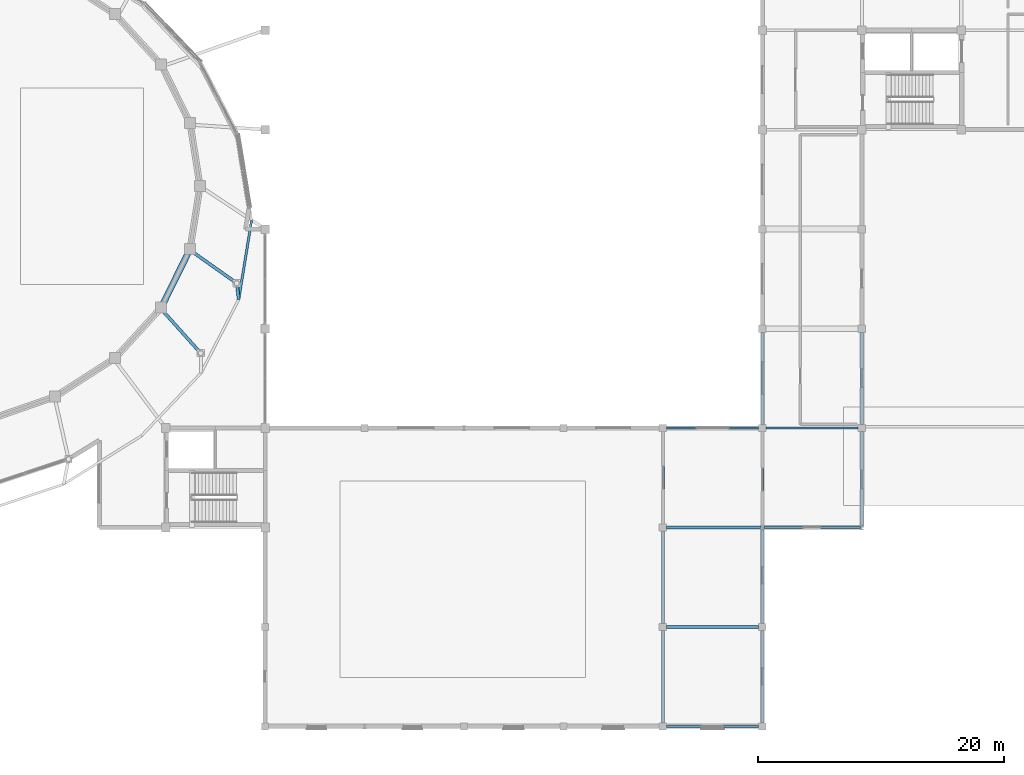
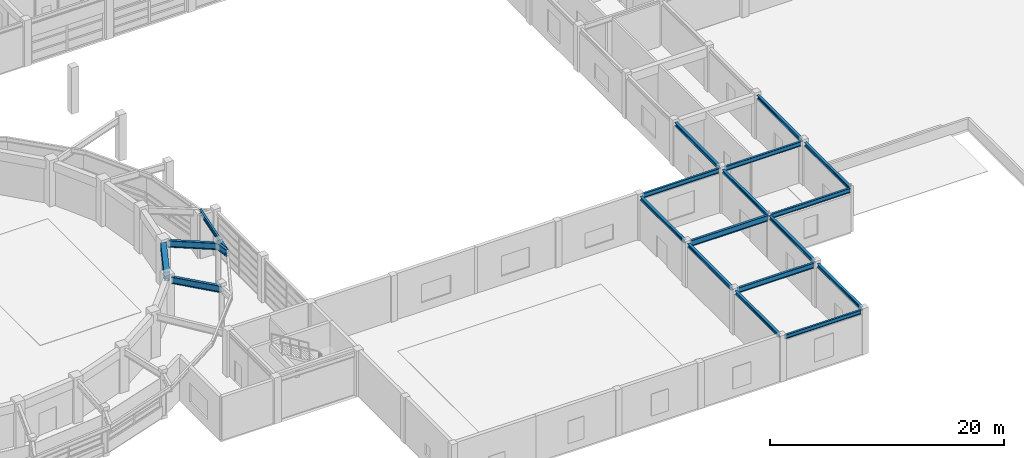
# One storey, part 18 of 56: 20 beams.
"""IFC4 building model written with IfcOpenShell, lengths in metres."""

import ifcopenshell
import ifcopenshell.guid

model = None  # the IFC model being written
_history = None  # IfcOwnerHistory: only IFC2X3 demands one
_inside = {}  # id of a spatial element -> (the spatial element, [elements in it])
_under = {}  # id of a project, library or spatial element -> (it, [spatial elements below it])
_declared = {}  # id of a project -> (the project, [libraries it declares])
_typed = {}  # id of a type object -> (the type object, [elements of that type])
_made_of = {}  # id of a material, layer set ... -> (it, [elements and type objects made of it])


def new_model(schema):
    """Start an empty IFC model of exactly this schema.

    Asked for "IFC4X3", IfcOpenShell would pick the latest addendum, in which some entities
    have other attributes; the version numbers below select the first issue.
    IFC2X3 requires an IfcOwnerHistory on every rooted entity: one is made here for all.
    """
    global model, _history
    if schema == "IFC4X3":
        model = ifcopenshell.file(schema_version=(4, 3, 0, 0))
    else:
        model = ifcopenshell.file(schema=schema)
    _inside.clear()
    _under.clear()
    _declared.clear()
    _typed.clear()
    _made_of.clear()
    _history = None
    if model.schema == "IFC2X3":
        org = make("IfcOrganization", Name="unknown")
        user = make(
            "IfcPersonAndOrganization",
            ThePerson=make("IfcPerson", FamilyName="unknown"),
            TheOrganization=org,
        )
        app = make(
            "IfcApplication",
            ApplicationDeveloper=org,
            Version="unknown",
            ApplicationFullName="unknown",
            ApplicationIdentifier="unknown",
        )
        _history = make(
            "IfcOwnerHistory",
            OwningUser=user,
            OwningApplication=app,
            ChangeAction="ADDED",
            CreationDate=0,
        )
    return model


def make(cls, **values):
    """One entity of the class cls with the attributes given. An attribute that is None is left unset."""
    return model.create_entity(
        cls, **{name: value for name, value in values.items() if value is not None}
    )


def rooted(cls, **values):
    """An entity with a GlobalId (a new one), such as an element, a storey or a relation."""
    return make(cls, GlobalId=ifcopenshell.guid.new(), OwnerHistory=_history, **values)


def si_unit(unit_type, name, prefix=None):
    """IfcSIUnit, for example si_unit("LENGTHUNIT", "METRE", prefix="MILLI")."""
    return make("IfcSIUnit", UnitType=unit_type, Prefix=prefix, Name=name)


def assignment(units):
    """IfcUnitAssignment: the units of a project."""
    return None if units is None else make("IfcUnitAssignment", Units=units)


def point(xyz):
    """IfcCartesianPoint."""
    return None if xyz is None else make("IfcCartesianPoint", Coordinates=xyz)


def direction(xyz):
    """IfcDirection."""
    return None if xyz is None else make("IfcDirection", DirectionRatios=xyz)


def frame(location, z_axis=None, x_axis=None):
    """IfcAxis2Placement3D, a coordinate frame: its origin and axes. An axis left out is left unset."""
    return make(
        "IfcAxis2Placement3D",
        Location=point(location),
        Axis=direction(z_axis),
        RefDirection=direction(x_axis),
    )


def frame_2d(location, x_axis=None):
    """IfcAxis2Placement2D, a coordinate frame in the plane: its origin and x axis."""
    return make(
        "IfcAxis2Placement2D", Location=point(location), RefDirection=direction(x_axis)
    )


def origin():
    """The frame at (0, 0, 0) with its axes left unset."""
    return frame((0.0, 0.0, 0.0))


def origin_2d():
    """The frame at (0, 0) in the plane with its x axis left unset."""
    return frame_2d((0.0, 0.0))


def place(relative_to, where):
    """IfcLocalPlacement: puts the frame where relative to a parent placement (None: the world)."""
    return make(
        "IfcLocalPlacement", PlacementRelTo=relative_to, RelativePlacement=where
    )


def context(
    kind, dimensions, precision=None, world=None, true_north=None, identifier=None
):
    """IfcGeometricRepresentationContext, for example the 3D "Model" context."""
    return make(
        "IfcGeometricRepresentationContext",
        ContextIdentifier=identifier,
        ContextType=kind,
        CoordinateSpaceDimension=dimensions,
        Precision=precision,
        WorldCoordinateSystem=world,
        TrueNorth=true_north,
    )


def subcontext(parent, identifier, kind, view, scale=None):
    """IfcGeometricRepresentationSubContext, for example "Body" below "Model"."""
    return make(
        "IfcGeometricRepresentationSubContext",
        ContextIdentifier=identifier,
        ContextType=kind,
        ParentContext=parent,
        TargetScale=scale,
        TargetView=view,
    )


def project(units=None, contexts=None):
    """IfcProject with its units and contexts."""
    return rooted(
        "IfcProject",
        Name="project",
        RepresentationContexts=contexts,
        UnitsInContext=assignment(units),
    )


def spatial(cls, under=None, at=None, **own):
    """A site, building, storey or space (cls), placed at a placement, below another one or the project."""
    s = rooted(cls, ObjectPlacement=at, **own)
    if under is not None:
        _under.setdefault(under.id(), (under, []))[1].append(s)
    return s


def profile(cls, at=None, kind="AREA", **sizes):
    """A parametric profile (cls). Its sizes go by their IFC names, for example OverallWidth=200.0."""
    return make(cls, ProfileType=kind, Position=at, **sizes)


def rectangle(**sizes):
    """IfcRectangleProfileDef."""
    return profile("IfcRectangleProfileDef", **sizes)


def i_section(**sizes):
    """IfcIShapeProfileDef."""
    return profile("IfcIShapeProfileDef", **sizes)


def extrude(swept, where, along, depth):
    """IfcExtrudedAreaSolid: the profile swept, set in the frame where, extruded along a direction by depth."""
    return make(
        "IfcExtrudedAreaSolid",
        SweptArea=swept,
        Position=where,
        ExtrudedDirection=direction(along),
        Depth=depth,
    )


def shape(context_of_items, identifier, shape_type, items):
    """IfcShapeRepresentation: the items that make up one representation, for example the "Body"."""
    return make(
        "IfcShapeRepresentation",
        ContextOfItems=context_of_items,
        RepresentationIdentifier=identifier,
        RepresentationType=shape_type,
        Items=items,
    )


def material(Name=None, Category=None):
    """IfcMaterial."""
    return make("IfcMaterial", Name=Name, Category=Category)


def material_profile(
    of_material, cross_section, Name=None, Category=None, Priority=None
):
    """IfcMaterialProfile: a cross section and its material."""
    return make(
        "IfcMaterialProfile",
        Name=Name,
        Material=of_material,
        Profile=cross_section,
        Priority=Priority,
        Category=Category,
    )


def profile_set(profiles, Name=None, composite=None):
    """IfcMaterialProfileSet."""
    return make(
        "IfcMaterialProfileSet",
        Name=Name,
        MaterialProfiles=profiles,
        CompositeProfile=composite,
    )


def made_of(thing, what):
    """Note that an element or type object is made of a material, layer set ...; save() writes the relation."""
    if what is not None:
        _made_of.setdefault(what.id(), (what, []))[1].append(thing)
    return thing


def type_object(cls, material=None, **own):
    """A type object (cls), such as IfcWallType, which elements share."""
    return made_of(rooted(cls, **own), material)


def element(
    cls,
    number,
    at=None,
    inside=None,
    cuts=None,
    type_object=None,
    material=None,
    context=None,
    identifier="Body",
    shape_type=None,
    held_by="IfcProductDefinitionShape",
    body=None,
    shapes=None,
    **own,
):
    """One element of the class cls, such as IfcWall. Its Tag is "e" and its number.

    at: its placement. inside: the storey or other place that contains it. cuts: it is an
    opening in that element (IfcRelVoidsElement). A single representation is given by context,
    identifier, shape_type and body (its items); several are given by shapes. held_by: the class
    of the entity that holds the representations. save() writes the other relations.
    """
    e = rooted(cls, Tag="e%d" % number, ObjectPlacement=at, **own)
    if body is not None:
        shapes = [shape(context, identifier, shape_type, body)]
    if shapes is not None:
        e.Representation = make(held_by, Representations=shapes)
    if inside is not None:
        _inside.setdefault(inside.id(), (inside, []))[1].append(e)
    if cuts is not None:
        rooted(
            "IfcRelVoidsElement", RelatingBuildingElement=cuts, RelatedOpeningElement=e
        )
    if type_object is not None:
        _typed.setdefault(type_object.id(), (type_object, []))[1].append(e)
    return made_of(e, material)


def aggregate(whole, parts):
    """IfcRelAggregates: a whole, such as a stair, and the parts it consists of."""
    return rooted("IfcRelAggregates", RelatingObject=whole, RelatedObjects=parts)


def save(model, path):
    """Write the relations noted so far, then the file.

    IfcRelAggregates (storeys below a building ...), IfcRelContainedInSpatialStructure (elements
    in a storey), IfcRelDefinesByType, IfcRelAssociatesMaterial and IfcRelDeclares: one each for
    every whole, place, type object, material and project.
    """
    for whole, parts in _under.values():
        aggregate(whole, parts)
    for where, things in _inside.values():
        rooted(
            "IfcRelContainedInSpatialStructure",
            RelatedElements=things,
            RelatingStructure=where,
        )
    for kind, things in _typed.values():
        rooted("IfcRelDefinesByType", RelatedObjects=things, RelatingType=kind)
    for what, things in _made_of.values():
        rooted("IfcRelAssociatesMaterial", RelatedObjects=things, RelatingMaterial=what)
    for by, libraries in _declared.values():
        rooted("IfcRelDeclares", RelatingContext=by, RelatedDefinitions=libraries)
    model.write(path)


model = new_model("IFC4")

# Units and contexts
model_context = context("Model", 3, precision=1e-05, world=origin(), true_north=direction((0.0, 1.0)))
body_context = subcontext(model_context, "Body", "Model", "MODEL_VIEW")
ifc_project = project(units=[si_unit("LENGTHUNIT", "METRE"), si_unit("AREAUNIT", "SQUARE_METRE"), si_unit("VOLUMEUNIT", "CUBIC_METRE"), si_unit("PLANEANGLEUNIT", "RADIAN"), si_unit("MASSUNIT", "GRAM", prefix="KILO")], contexts=[model_context])

# Site, building, storey
site_placement = place(None, origin())
site = spatial("IfcSite", under=ifc_project, at=site_placement, CompositionType="ELEMENT")
building_placement = place(site_placement, origin())
building = spatial("IfcBuilding", under=site, at=building_placement, Name="Parian Resonance Hall", CompositionType="ELEMENT")
storey_placement = place(building_placement, frame((0.0, 0.0, 5.39990234375)))
storey = spatial("IfcBuildingStorey", under=building, at=storey_placement, Name="L01", CompositionType="ELEMENT", Elevation=5.39990234375)

# Beams
ifc_material_1 = material(Name="Concrete C40/50", Category="concrete")
ifc_material_profile_1 = material_profile(ifc_material_1, rectangle(XDim=0.5, YDim=0.89990234375, at=origin_2d()), Name="RC-BM-500x900")
ifc_profile_set_1 = profile_set([ifc_material_profile_1], Name="Concrete C40/50")
beam_type_1 = type_object("IfcBeamType", Name="BM-RC500x900", PredefinedType="USERDEFINED", material=ifc_profile_set_1)
beam_1_placement = place(storey_placement, frame((64.615234375, 34.458740234375, 4.080078125), z_axis=(0.442697851544, 0.896670849441, 0.0), x_axis=(-0.896670849441, 0.442697851544, 0.0)))
element("IfcBeam", 1, at=beam_1_placement, inside=storey, type_object=beam_type_1, Name="Concert hall drum ring beam L01-23", ObjectType="GIRDER", PredefinedType="USERDEFINED", context=body_context, shape_type="SweptSolid", body=[
    extrude(rectangle(XDim=0.5, YDim=0.89990234375, at=origin_2d()), origin(), (0.0, 0.0, 1.0), 4.525390625),
])
ifc_material_2 = material(Name="Steel S355", Category="steel")
ifc_material_profile_2 = material_profile(ifc_material_2, i_section(OverallWidth=0.2548828125, OverallDepth=0.35693359375, WebThickness=0.010498046875, FlangeThickness=0.018310546875, FilletRadius=0.01513671875, at=origin_2d()), Name="W360x101")
ifc_profile_set_2 = profile_set([ifc_material_profile_2], Name="Steel S355")
beam_type_2 = type_object("IfcBeamType", Name="BM-W360x101", PredefinedType="SPANDREL", material=ifc_profile_set_2)
for number, where, z_axis, x_axis, name in (
    (2, (105.300048828125, 0.300048828125, 4.381591796875), (0.0, 1.0, 0.0), (-1.0, 0.0, 0.0), "GY-L01-0618"),
    (3, (105.300048828125, 8.39990234375, 4.381591796875), (0.0, 1.0, 0.0), (-1.0, 0.0, 0.0), "GY-L01-0619"),
    (4, (105.300048828125, 16.5, 4.381591796875), (0.0, 1.0, 0.0), (-1.0, 0.0, 0.0), "GY-L01-0620"),
    (5, (113.39990234375, 0.300048828125, 4.381591796875), (0.0, 1.0, 0.0), (-1.0, 0.0, 0.0), "GY-L01-0623"),
):
    element("IfcBeam", number, at=place(storey_placement, frame(where, z_axis=z_axis, x_axis=x_axis)), inside=storey, type_object=beam_type_2, Name=name, PredefinedType="SPANDREL", context=body_context, shape_type="SweptSolid", body=[
        extrude(i_section(OverallWidth=0.2548828125, OverallDepth=0.35693359375, WebThickness=0.010498046875, FlangeThickness=0.018310546875, FilletRadius=0.01513671875, at=origin_2d()), origin(), (0.0, 0.0, 1.0), 7.5),
    ])
for number, where, z_axis, x_axis, name in (
    (6, (113.39990234375, 8.39990234375, 4.381591796875), (0.0, 1.0, 0.0), (-1.0, 0.0, 0.0), "GY-L01-0624"),
    (7, (113.39990234375, 16.37841796875, 4.3515625), (0.0, 1.0, 0.0), (-1.0, 0.0, 0.0), "GY-L01-0625"),
):
    element("IfcBeam", number, at=place(storey_placement, frame(where, z_axis=z_axis, x_axis=x_axis)), inside=storey, type_object=beam_type_2, Name=name, PredefinedType="SPANDREL", context=body_context, shape_type="SweptSolid", body=[
        extrude(i_section(OverallWidth=0.2548828125, OverallDepth=0.35693359375, WebThickness=0.010498046875, FlangeThickness=0.018310546875, FilletRadius=0.01513671875, at=origin_2d()), origin(), (0.0, 0.0, 1.0), 7.62158203125),
    ])
beam_2_placement = place(storey_placement, frame((113.39990234375, 24.60009765625, 4.3515625), z_axis=(0.0, 1.0, 0.0), x_axis=(-1.0, 0.0, 0.0)))
element("IfcBeam", 8, at=beam_2_placement, inside=storey, type_object=beam_type_2, Name="GY-L01-0626", PredefinedType="SPANDREL", context=body_context, shape_type="SweptSolid", body=[
    extrude(i_section(OverallWidth=0.2548828125, OverallDepth=0.35693359375, WebThickness=0.010498046875, FlangeThickness=0.018310546875, FilletRadius=0.01513671875, at=origin_2d()), origin(), (0.0, 0.0, 1.0), 7.5),
])
beam_3_placement = place(storey_placement, frame((121.5, 16.37841796875, 4.3515625), z_axis=(0.0, 1.0, 0.0), x_axis=(-1.0, 0.0, 0.0)))
element("IfcBeam", 9, at=beam_3_placement, inside=storey, type_object=beam_type_2, Name="GY-L01-0634", PredefinedType="SPANDREL", context=body_context, shape_type="SweptSolid", body=[
    extrude(i_section(OverallWidth=0.2548828125, OverallDepth=0.35693359375, WebThickness=0.010498046875, FlangeThickness=0.018310546875, FilletRadius=0.01513671875, at=origin_2d()), origin(), (0.0, 0.0, 1.0), 7.62158203125),
])
beam_4_placement = place(storey_placement, frame((121.5, 24.60009765625, 4.3515625), z_axis=(0.0, 1.0, 0.0), x_axis=(-1.0, 0.0, 0.0)))
element("IfcBeam", 10, at=beam_4_placement, inside=storey, type_object=beam_type_2, Name="GY-L01-0635", PredefinedType="SPANDREL", context=body_context, shape_type="SweptSolid", body=[
    extrude(i_section(OverallWidth=0.2548828125, OverallDepth=0.35693359375, WebThickness=0.010498046875, FlangeThickness=0.018310546875, FilletRadius=0.01513671875, at=origin_2d()), origin(), (0.0, 0.0, 1.0), 7.5),
])
ifc_material_3 = material(Name="Steel S355", Category="steel")
ifc_material_profile_3 = material_profile(ifc_material_3, i_section(OverallWidth=0.180908203125, OverallDepth=0.4169921875, WebThickness=0.010986328125, FlangeThickness=0.018310546875, FilletRadius=0.01513671875, at=origin_2d()), Name="W410x85")
ifc_profile_set_3 = profile_set([ifc_material_profile_3], Name="Steel S355")
beam_type_3 = type_object("IfcBeamType", Name="BM-W410x85", PredefinedType="SPANDREL", material=ifc_profile_set_3)
beam_5_placement = place(storey_placement, frame((105.60009765625, 0.0, 4.3515625), z_axis=(1.0, 0.0, 0.0), x_axis=(0.0, 1.0, 0.0)))
element("IfcBeam", 11, at=beam_5_placement, inside=storey, type_object=beam_type_3, Name="GX-L01-0558", PredefinedType="SPANDREL", context=body_context, shape_type="SweptSolid", body=[
    extrude(i_section(OverallWidth=0.180908203125, OverallDepth=0.4169921875, WebThickness=0.010986328125, FlangeThickness=0.018310546875, FilletRadius=0.01513671875, at=origin_2d()), origin(), (0.0, 0.0, 1.0), 7.5),
])
ifc_material_4 = material(Name="Steel S355", Category="steel")
ifc_material_profile_4 = material_profile(ifc_material_4, i_section(OverallWidth=0.194091796875, OverallDepth=0.468994140625, WebThickness=0.0126953125, FlangeThickness=0.0205078125, FilletRadius=0.01513671875, at=origin_2d()), Name="W460x106")
ifc_profile_set_4 = profile_set([ifc_material_profile_4], Name="Steel S355")
beam_type_4 = type_object("IfcBeamType", Name="BM-W460x106", PredefinedType="SPANDREL", material=ifc_profile_set_4)
beam_6_placement = place(storey_placement, frame((105.60009765625, 24.300048828125, 4.32568359375), z_axis=(1.0, 0.0, 0.0), x_axis=(0.0, 1.0, 0.0)))
element("IfcBeam", 12, at=beam_6_placement, inside=storey, type_object=beam_type_4, Name="GX-L01-0561", PredefinedType="SPANDREL", context=body_context, shape_type="SweptSolid", body=[
    extrude(i_section(OverallWidth=0.194091796875, OverallDepth=0.468994140625, WebThickness=0.0126953125, FlangeThickness=0.0205078125, FilletRadius=0.01513671875, at=origin_2d()), origin(), (0.0, 0.0, 1.0), 7.5),
])
beam_7_placement = place(storey_placement, frame((113.527587890625, 16.199951171875, 4.295654296875), z_axis=(1.0, 0.0, 0.0), x_axis=(0.0, 1.0, 0.0)))
element("IfcBeam", 13, at=beam_7_placement, inside=storey, type_object=beam_type_4, Name="GX-L01-0565", PredefinedType="SPANDREL", context=body_context, shape_type="SweptSolid", body=[
    extrude(i_section(OverallWidth=0.194091796875, OverallDepth=0.468994140625, WebThickness=0.0126953125, FlangeThickness=0.0205078125, FilletRadius=0.01513671875, at=origin_2d()), origin(), (0.0, 0.0, 1.0), 7.844970703125),
])
beam_8_placement = place(storey_placement, frame((70.75732421875, 34.78125, 4.295654296875), z_axis=(0.160348975304, 0.987060386258, 0.0), x_axis=(-0.987060386258, 0.160348975304, 0.0)))
element("IfcBeam", 14, at=beam_8_placement, inside=storey, type_object=beam_type_4, Name="Elliptical R2 perimeter spandrel beam 24", PredefinedType="SPANDREL", context=body_context, shape_type="SweptSolid", body=[
    extrude(i_section(OverallWidth=0.194091796875, OverallDepth=0.468994140625, WebThickness=0.0126953125, FlangeThickness=0.0205078125, FilletRadius=0.01513671875, at=origin_2d()), origin(), (0.0, 0.0, 1.0), 6.5029296875),
])
ifc_material_5 = material(Name="Steel S355", Category="steel")
ifc_material_profile_5 = material_profile(ifc_material_5, i_section(OverallWidth=0.19091796875, OverallDepth=0.4599609375, WebThickness=0.010009765625, FlangeThickness=0.01611328125, FilletRadius=0.01513671875, at=origin_2d()), Name="W460x82")
ifc_profile_set_5 = profile_set([ifc_material_profile_5], Name="Steel S355")
beam_type_5 = type_object("IfcBeamType", Name="BM-W460x82", PredefinedType="BEAM", material=ifc_profile_set_5)
beam_9_placement = place(storey_placement, frame((113.699951171875, 24.300048828125, 4.300048828125), z_axis=(1.0, 0.0, 0.0), x_axis=(0.0, 1.0, 0.0)))
element("IfcBeam", 15, at=beam_9_placement, inside=storey, type_object=beam_type_5, Name="GX-L01-0566", PredefinedType="BEAM", context=body_context, shape_type="SweptSolid", body=[
    extrude(i_section(OverallWidth=0.19091796875, OverallDepth=0.4599609375, WebThickness=0.010009765625, FlangeThickness=0.01611328125, FilletRadius=0.01513671875, at=origin_2d()), origin(), (0.0, 0.0, 1.0), 7.5),
])
ifc_material_6 = material(Name="Steel S355", Category="steel")
ifc_material_profile_6 = material_profile(ifc_material_6, i_section(OverallWidth=0.2119140625, OverallDepth=0.5439453125, WebThickness=0.01318359375, FlangeThickness=0.021240234375, FilletRadius=0.017822265625, at=origin_2d()), Name="W530x123")
ifc_profile_set_6 = profile_set([ifc_material_profile_6], Name="Steel S355")
beam_type_6 = type_object("IfcBeamType", Name="BM-W530x123", PredefinedType="USERDEFINED", material=ifc_profile_set_6)
beam_10_placement = place(storey_placement, frame((105.60009765625, 8.10009765625, 4.2880859375), z_axis=(1.0, 0.0, 0.0), x_axis=(0.0, 1.0, 0.0)))
element("IfcBeam", 16, at=beam_10_placement, inside=storey, type_object=beam_type_6, Name="GX-L01-0559", ObjectType="GIRDER", PredefinedType="USERDEFINED", context=body_context, shape_type="SweptSolid", body=[
    extrude(i_section(OverallWidth=0.2119140625, OverallDepth=0.5439453125, WebThickness=0.01318359375, FlangeThickness=0.021240234375, FilletRadius=0.017822265625, at=origin_2d()), origin(), (0.0, 0.0, 1.0), 7.5),
])
ifc_material_7 = material(Name="Steel S355", Category="steel")
ifc_material_profile_7 = material_profile(ifc_material_7, i_section(OverallWidth=0.22802734375, OverallDepth=0.60791015625, WebThickness=0.01123046875, FlangeThickness=0.017333984375, FilletRadius=0.017822265625, at=origin_2d()), Name="W610x113")
ifc_profile_set_7 = profile_set([ifc_material_profile_7], Name="Steel S355")
beam_type_7 = type_object("IfcBeamType", Name="BM-W610x113", PredefinedType="USERDEFINED", material=ifc_profile_set_7)
beam_11_placement = place(storey_placement, frame((105.60009765625, 16.199951171875, 4.256103515625), z_axis=(1.0, 0.0, 0.0), x_axis=(0.0, 1.0, 0.0)))
element("IfcBeam", 17, at=beam_11_placement, inside=storey, type_object=beam_type_7, Name="GX-L01-0560", ObjectType="GIRDER", PredefinedType="USERDEFINED", context=body_context, shape_type="SweptSolid", body=[
    extrude(i_section(OverallWidth=0.22802734375, OverallDepth=0.60791015625, WebThickness=0.01123046875, FlangeThickness=0.017333984375, FilletRadius=0.017822265625, at=origin_2d()), origin(), (0.0, 0.0, 1.0), 7.67236328125),
])
ifc_material_8 = material(Name="Steel S355", Category="steel")
ifc_material_profile_8 = material_profile(ifc_material_8, i_section(OverallWidth=0.256103515625, OverallDepth=0.693115234375, WebThickness=0.014404296875, FlangeThickness=0.023681640625, FilletRadius=0.020263671875, at=origin_2d()), Name="W690x170")
ifc_profile_set_8 = profile_set([ifc_material_profile_8], Name="Steel S355")
beam_type_8 = type_object("IfcBeamType", Name="CG2 W690x170", PredefinedType="USERDEFINED", material=ifc_profile_set_8)
beam_12_placement = place(storey_placement, frame((64.64794921875, 33.759521484375, 4.18359375), z_axis=(0.667681516322, -0.744447038252, 0.0), x_axis=(0.744447038252, 0.667681516322, 0.0)))
element("IfcBeam", 18, at=beam_12_placement, inside=storey, type_object=beam_type_8, Name="Radial ring back-span girder R2-23", ObjectType="GIRDER", PredefinedType="USERDEFINED", context=body_context, shape_type="SweptSolid", body=[
    extrude(i_section(OverallWidth=0.256103515625, OverallDepth=0.693115234375, WebThickness=0.014404296875, FlangeThickness=0.023681640625, FilletRadius=0.020263671875, at=origin_2d()), origin(), (0.0, 0.0, 1.0), 4.512939453125),
])
beam_13_placement = place(storey_placement, frame((67.073974609375, 38.587890625, 4.18359375), z_axis=(0.816045590354, -0.577987538329, 0.0), x_axis=(0.577987538329, 0.816045590354, 0.0)))
element("IfcBeam", 19, at=beam_13_placement, inside=storey, type_object=beam_type_8, Name="Radial ring back-span girder R2-24", ObjectType="GIRDER", PredefinedType="USERDEFINED", context=body_context, shape_type="SweptSolid", body=[
    extrude(i_section(OverallWidth=0.256103515625, OverallDepth=0.693115234375, WebThickness=0.014404296875, FlangeThickness=0.023681640625, FilletRadius=0.020263671875, at=origin_2d()), origin(), (0.0, 0.0, 1.0), 4.318603515625),
])
beam_14_placement = place(storey_placement, frame((70.59814453125, 36.091796875, 4.18359375), z_axis=(0.120574366969, -0.992704297377, 0.0), x_axis=(0.992704297377, 0.120574366969, 0.0)))
element("IfcBeam", 20, at=beam_14_placement, inside=storey, type_object=beam_type_8, Name="Radial ring cantilever girder R2-24", ObjectType="GIRDER", PredefinedType="USERDEFINED", context=body_context, shape_type="SweptSolid", body=[
    extrude(i_section(OverallWidth=0.256103515625, OverallDepth=0.693115234375, WebThickness=0.014404296875, FlangeThickness=0.023681640625, FilletRadius=0.020263671875, at=origin_2d()), origin(), (0.0, 0.0, 1.0), 1.320068359375),
])

save(model, "model.ifc")
